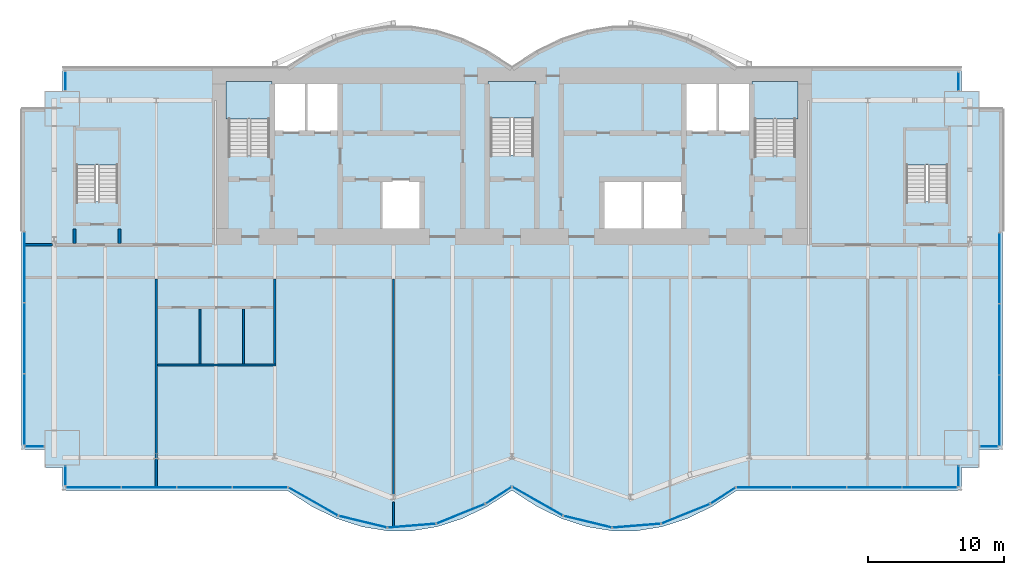
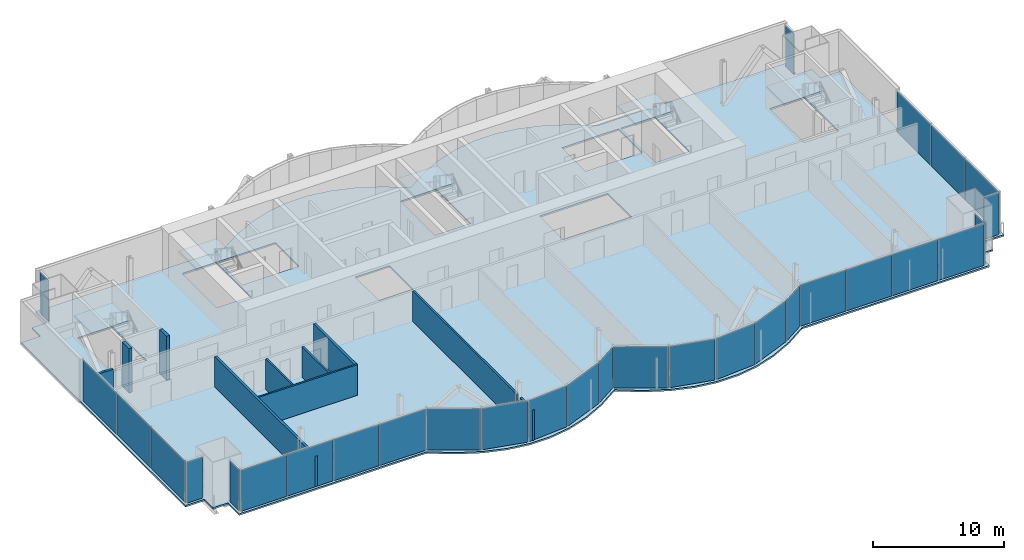
# One storey, part 13 of 20: 30 plates, 10 walls, 6 slabs, 17 elements without a shape of their own.
"""IFC4 building model written with IfcOpenShell, lengths in metres."""

from ifc_helpers import new_model, si_unit, direction, frame, frame_2d, origin, origin_2d, place, context, subcontext, project, spatial, polyline, rectangle, outline, extrude, material, layer, layer_set, type_object, element, aggregate, save


model = new_model("IFC4")

# Units and contexts
model_context = context("Model", 3, precision=1e-05, world=origin(), true_north=direction((0.0, 1.0)))
body_context = subcontext(model_context, "Body", "Model", "MODEL_VIEW")
ifc_project = project(units=[si_unit("LENGTHUNIT", "METRE"), si_unit("AREAUNIT", "SQUARE_METRE"), si_unit("VOLUMEUNIT", "CUBIC_METRE"), si_unit("PLANEANGLEUNIT", "RADIAN"), si_unit("MASSUNIT", "GRAM", prefix="KILO")], contexts=[model_context])

# Site, building, storey
site_placement = place(None, origin())
site = spatial("IfcSite", under=ifc_project, at=site_placement, CompositionType="ELEMENT")
building_placement = place(site_placement, origin())
building = spatial("IfcBuilding", under=site, at=building_placement, Name="Bicima Exchange Tower", CompositionType="ELEMENT")
storey_placement = place(building_placement, frame((0.0, 0.0, 227.800048828125)))
storey = spatial("IfcBuildingStorey", under=building, at=storey_placement, Name="L51", CompositionType="ELEMENT", Elevation=227.800048828125)

# Slab
ifc_material_1 = material(Name="Concrete C40/50", Category="concrete")
ifc_layer_1 = layer(ifc_material_1, 0.14990234375)
ifc_layer_set_1 = layer_set([ifc_layer_1], Name="Concrete C40/50")
slab_type_1 = type_object("IfcSlabType", Name="Composite floor slab 150", PredefinedType="FLOOR", material=ifc_layer_set_1)
slab_1_placement = place(storey_placement, frame((0.0, 0.0, -0.150146484375)))
element("IfcSlab", 1, at=slab_1_placement, inside=storey, type_object=slab_type_1, Name="Floor slab", PredefinedType="FLOOR", context=body_context, shape_type="SweptSolid", body=[
    extrude(outline(polyline([(-36.0, -28.02001953125), (-36.0, -3.0), (-34.300048828125, -3.0), (-34.300048828125, -1.699951171875), (-33.0, -1.699951171875), (-33.0, 0.0), (-16.5, 0.0), (-14.666748046875, 1.185302734375), (-12.833251953125, 2.07421875), (-11.0, 2.666748046875), (-9.166748046875, 2.962890625), (-7.333251953125, 2.962890625), (-5.5, 2.666748046875), (-3.666748046875, 2.07421875), (-1.833251953125, 1.185302734375), (0.0, 0.0), (1.833251953125, 1.185302734375), (3.666748046875, 2.07421875), (5.5, 2.666748046875), (7.333251953125, 2.962890625), (9.166748046875, 2.962890625), (11.0, 2.666748046875), (12.833251953125, 2.07421875), (14.666748046875, 1.185302734375), (16.5, 0.0), (33.0, 0.0), (33.0, -1.699951171875), (34.300048828125, -1.699951171875), (34.300048828125, -3.0), (36.0, -3.0), (36.0, -28.02001953125), (34.300048828125, -28.02001953125), (34.300048828125, -29.320068359375), (33.0, -29.320068359375), (33.0, -31.02001953125), (16.5, -31.02001953125), (14.666748046875, -32.205078125), (12.833251953125, -33.093994140625), (11.0, -33.686767578125), (9.166748046875, -33.98291015625), (7.333251953125, -33.98291015625), (5.5, -33.686767578125), (3.666748046875, -33.093994140625), (1.833251953125, -32.205078125), (0.0, -31.02001953125), (-1.833251953125, -32.205078125), (-3.666748046875, -33.093994140625), (-5.5, -33.686767578125), (-7.333251953125, -33.98291015625), (-9.166748046875, -33.98291015625), (-11.0, -33.686767578125), (-12.833251953125, -33.093994140625), (-14.666748046875, -32.205078125), (-16.5, -31.02001953125), (-33.0, -31.02001953125), (-33.0, -29.320068359375), (-34.300048828125, -29.320068359375), (-34.300048828125, -28.02001953125), (-36.0, -28.02001953125)]), holes=[polyline([(-6.60009765625, -11.800048828125), (-6.60009765625, -8.199951171875), (-9.60009765625, -8.199951171875), (-9.60009765625, -11.800048828125), (-6.60009765625, -11.800048828125)]), polyline([(-31.97509765625, -9.824951171875), (-28.925048828125, -9.824951171875), (-28.925048828125, -4.625), (-31.97509765625, -4.625), (-31.97509765625, -9.824951171875)]), polyline([(-20.800048828125, -6.449951171875), (-17.800048828125, -6.449951171875), (-17.800048828125, -1.199951171875), (-20.800048828125, -1.199951171875), (-20.800048828125, -6.449951171875)]), polyline([(1.574951171875, -6.39990234375), (1.574951171875, -1.199951171875), (-1.574951171875, -1.199951171875), (-1.574951171875, -6.39990234375), (1.574951171875, -6.39990234375)]), polyline([(-12.60009765625, -4.800048828125), (-12.60009765625, -1.199951171875), (-15.10009765625, -1.199951171875), (-17.60009765625, -1.199951171875), (-17.60009765625, -4.800048828125), (-15.10009765625, -4.800048828125), (-12.60009765625, -4.800048828125)]), polyline([(12.60009765625, -8.199951171875), (9.60009765625, -8.199951171875), (6.60009765625, -8.199951171875), (6.60009765625, -11.800048828125), (9.60009765625, -11.800048828125), (12.60009765625, -11.800048828125), (12.60009765625, -8.199951171875)]), polyline([(28.925048828125, -9.824951171875), (31.97509765625, -9.824951171875), (31.97509765625, -4.625), (28.925048828125, -4.625), (28.925048828125, -9.824951171875)]), polyline([(20.800048828125, -6.449951171875), (20.800048828125, -1.199951171875), (17.800048828125, -1.199951171875), (17.800048828125, -6.449951171875), (20.800048828125, -6.449951171875)]), polyline([(17.60009765625, -4.800048828125), (17.60009765625, -1.199951171875), (15.10009765625, -1.199951171875), (12.60009765625, -1.199951171875), (12.60009765625, -4.800048828125), (15.10009765625, -4.800048828125), (17.60009765625, -4.800048828125)])]), origin(), (0.0, 0.0, 1.0), 0.150146484375),
])

# Curtain wall, plate
ifc_material_2 = material(Name="Anodised bronze aluminium", Category="aluminium")
curtain_wall_type_1 = type_object("IfcCurtainWallType", Name="End face glass wall", PredefinedType="NOTDEFINED", material=ifc_material_2)
curtain_wall_1_placement = place(storey_placement, origin())
curtain_wall_1 = element("IfcCurtainWall", 2, at=curtain_wall_1_placement, inside=storey, type_object=curtain_wall_type_1, Name="End face glass wall L51 run 2", PredefinedType="NOTDEFINED")
ifc_material_3 = material(Name="Bronze tinted glass", Category="glass")
ifc_layer_2 = layer(ifc_material_3, 0.031982421875)
ifc_layer_set_2 = layer_set([ifc_layer_2], Name="Bronze tinted glass")
plate_type_1 = type_object("IfcPlateType", Name="End face glass wall glass panel 32", PredefinedType="CURTAIN_PANEL", material=ifc_layer_set_2)
plate_1_placement = place(storey_placement, frame((-35.77001953125, -14.63818359375, 0.0), z_axis=(0.0, 0.0, 1.0), x_axis=(0.0, -1.0, 0.0)))
plate_1 = element("IfcPlate", 3, at=plate_1_placement, type_object=plate_type_1, Name="End face glass wall panel 1.1", PredefinedType="CURTAIN_PANEL", context=body_context, shape_type="SweptSolid", body=[
    extrude(rectangle(XDim=5.15673828125, YDim=0.031982421875, at=origin_2d()), origin(), (0.0, 0.0, 1.0), 3.81005859375),
])

curtain_wall_2_placement = place(storey_placement, origin())
curtain_wall_2 = element("IfcCurtainWall", 4, at=curtain_wall_2_placement, inside=storey, type_object=curtain_wall_type_1, Name="End face glass wall L51 run 19", PredefinedType="NOTDEFINED")
plate_2_placement = place(storey_placement, frame((35.77001953125, -14.71826171875, 0.0), z_axis=(0.0, 0.0, 1.0), x_axis=(0.0, 1.0, 0.0)))
plate_2 = element("IfcPlate", 5, at=plate_2_placement, type_object=plate_type_1, Name="End face glass wall panel 3.1", PredefinedType="CURTAIN_PANEL", context=body_context, shape_type="SweptSolid", body=[
    extrude(rectangle(XDim=5.15673828125, YDim=0.031982421875, at=origin_2d()), origin(), (0.0, 0.0, 1.0), 3.81005859375),
])

# Plate
ifc_material_4 = material(Name="Bronze anodised aluminium", Category="aluminium")
ifc_layer_3 = layer(ifc_material_4, 0.031982421875)
ifc_layer_set_3 = layer_set([ifc_layer_3], Name="Bronze anodised aluminium")
plate_type_2 = type_object("IfcPlateType", Name="End face glass wall spandrel panel 32", PredefinedType="CURTAIN_PANEL", material=ifc_layer_set_3)
plate_3_placement = place(storey_placement, frame((-35.77001953125, -19.85498046875, 0.0), z_axis=(0.0, 0.0, 1.0), x_axis=(0.0, -1.0, 0.0)))
plate_3 = element("IfcPlate", 6, at=plate_3_placement, type_object=plate_type_2, Name="End face spandrel wall panel 2.1", PredefinedType="CURTAIN_PANEL", context=body_context, shape_type="SweptSolid", body=[
    extrude(rectangle(XDim=5.15673828125, YDim=0.031982421875, at=origin_2d()), origin(), (0.0, 0.0, 1.0), 3.81005859375),
])

plate_4_placement = place(storey_placement, frame((-35.77001953125, -25.07177734375, 0.0), z_axis=(0.0, 0.0, 1.0), x_axis=(0.0, -1.0, 0.0)))
plate_4 = element("IfcPlate", 7, at=plate_4_placement, type_object=plate_type_2, Name="End face spandrel wall panel 3.1", PredefinedType="CURTAIN_PANEL", context=body_context, shape_type="SweptSolid", body=[
    extrude(rectangle(XDim=5.15673828125, YDim=0.031982421875, at=origin_2d()), origin(), (0.0, 0.0, 1.0), 3.81005859375),
])

aggregate(curtain_wall_1, [plate_1, plate_3, plate_4])

plate_5_placement = place(storey_placement, frame((35.77001953125, -25.151611328125, 0.0), z_axis=(0.0, 0.0, 1.0), x_axis=(0.0, 1.0, 0.0)))
plate_5 = element("IfcPlate", 8, at=plate_5_placement, type_object=plate_type_2, Name="End face spandrel wall panel 1.1", PredefinedType="CURTAIN_PANEL", context=body_context, shape_type="SweptSolid", body=[
    extrude(rectangle(XDim=5.15673828125, YDim=0.031982421875, at=origin_2d()), origin(), (0.0, 0.0, 1.0), 3.81005859375),
])

plate_6_placement = place(storey_placement, frame((35.77001953125, -19.93505859375, 0.0), z_axis=(0.0, 0.0, 1.0), x_axis=(0.0, 1.0, 0.0)))
plate_6 = element("IfcPlate", 9, at=plate_6_placement, type_object=plate_type_2, Name="End face spandrel wall panel 2.1", PredefinedType="CURTAIN_PANEL", context=body_context, shape_type="SweptSolid", body=[
    extrude(rectangle(XDim=5.15673828125, YDim=0.031982421875, at=origin_2d()), origin(), (0.0, 0.0, 1.0), 3.81005859375),
])

aggregate(curtain_wall_2, [plate_5, plate_6, plate_2])

# Curtain wall, plate
curtain_wall_type_2 = type_object("IfcCurtainWallType", Name="Front glass wall", PredefinedType="NOTDEFINED", material=ifc_material_2)
curtain_wall_3_placement = place(storey_placement, origin())
curtain_wall_3 = element("IfcCurtainWall", 10, at=curtain_wall_3_placement, inside=storey, type_object=curtain_wall_type_2, Name="Front glass wall L51 run 1", PredefinedType="NOTDEFINED")
ifc_layer_4 = layer(ifc_material_3, 0.031982421875)
ifc_layer_set_4 = layer_set([ifc_layer_4], Name="Bronze tinted glass")
plate_type_3 = type_object("IfcPlateType", Name="Front glass wall glass panel 32", PredefinedType="CURTAIN_PANEL", material=ifc_layer_set_4)
plate_7_placement = place(storey_placement, frame((-32.77001953125, -0.965087890625, 0.0), z_axis=(0.0, 0.0, 1.0), x_axis=(0.0, -1.0, 0.0)))
plate_7 = element("IfcPlate", 11, at=plate_7_placement, type_object=plate_type_3, Name="Front glass wall panel 1.1", PredefinedType="CURTAIN_PANEL", context=body_context, shape_type="SweptSolid", body=[
    extrude(rectangle(XDim=1.35009765625, YDim=0.031982421875, at=origin_2d()), origin(), (0.0, 0.0, 1.0), 3.81005859375),
])
aggregate(curtain_wall_3, [plate_7])

curtain_wall_4_placement = place(storey_placement, origin())
curtain_wall_4 = element("IfcCurtainWall", 12, at=curtain_wall_4_placement, inside=storey, type_object=curtain_wall_type_2, Name="Front glass wall L51 run 3", PredefinedType="NOTDEFINED")
plate_8_placement = place(storey_placement, frame((-35.034912109375, -27.7900390625, 0.0), z_axis=(0.0, 0.0, 1.0), x_axis=(1.0, 0.0, 0.0)))
plate_8 = element("IfcPlate", 13, at=plate_8_placement, type_object=plate_type_3, Name="Front glass wall panel 1.1", PredefinedType="CURTAIN_PANEL", context=body_context, shape_type="SweptSolid", body=[
    extrude(rectangle(XDim=1.35009765625, YDim=0.031982421875, at=origin_2d()), origin(), (0.0, 0.0, 1.0), 3.81005859375),
])
aggregate(curtain_wall_4, [plate_8])

curtain_wall_5_placement = place(storey_placement, origin())
curtain_wall_5 = element("IfcCurtainWall", 14, at=curtain_wall_5_placement, inside=storey, type_object=curtain_wall_type_2, Name="Front glass wall L51 run 4", PredefinedType="NOTDEFINED")
plate_9_placement = place(storey_placement, frame((-32.77001953125, -29.9541015625, 0.0), z_axis=(0.0, 0.0, 1.0), x_axis=(0.0, -1.0, 0.0)))
plate_9 = element("IfcPlate", 15, at=plate_9_placement, type_object=plate_type_3, Name="Front glass wall panel 1.1", PredefinedType="CURTAIN_PANEL", context=body_context, shape_type="SweptSolid", body=[
    extrude(rectangle(XDim=1.39208984375, YDim=0.031982421875, at=origin_2d()), origin(), (0.0, 0.0, 1.0), 3.81005859375),
])
aggregate(curtain_wall_5, [plate_9])

# Curtain wall, plates
curtain_wall_6_placement = place(storey_placement, origin())
curtain_wall_6 = element("IfcCurtainWall", 16, at=curtain_wall_6_placement, inside=storey, type_object=curtain_wall_type_2, Name="Front glass wall L51 run 5", PredefinedType="NOTDEFINED")
plate_10_placement = place(storey_placement, frame((-30.705322265625, -30.7900390625, 0.0), z_axis=(0.0, 0.0, 1.0), x_axis=(1.0, 0.0, 0.0)))
plate_10 = element("IfcPlate", 17, at=plate_10_placement, type_object=plate_type_3, Name="Front glass wall panel 1.1", PredefinedType="CURTAIN_PANEL", context=body_context, shape_type="SweptSolid", body=[
    extrude(rectangle(XDim=4.009521484375, YDim=0.031982421875, at=origin_2d()), origin(), (0.0, 0.0, 1.0), 3.81005859375),
])
plate_11_placement = place(storey_placement, frame((-22.56640625, -30.7900390625, 0.0), z_axis=(0.0, 0.0, 1.0), x_axis=(1.0, 0.0, 0.0)))
plate_11 = element("IfcPlate", 18, at=plate_11_placement, type_object=plate_type_3, Name="Front glass wall panel 3.1", PredefinedType="CURTAIN_PANEL", context=body_context, shape_type="SweptSolid", body=[
    extrude(rectangle(XDim=4.009521484375, YDim=0.031982421875, at=origin_2d()), origin(), (0.0, 0.0, 1.0), 3.81005859375),
])
plate_12_placement = place(storey_placement, frame((-18.496826171875, -30.7900390625, 0.0), z_axis=(0.0, 0.0, 1.0), x_axis=(1.0, 0.0, 0.0)))
plate_12 = element("IfcPlate", 19, at=plate_12_placement, type_object=plate_type_3, Name="Front glass wall panel 4.1", PredefinedType="CURTAIN_PANEL", context=body_context, shape_type="SweptSolid", body=[
    extrude(rectangle(XDim=4.009521484375, YDim=0.031982421875, at=origin_2d()), origin(), (0.0, 0.0, 1.0), 3.81005859375),
])

curtain_wall_7_placement = place(storey_placement, origin())
curtain_wall_7 = element("IfcCurtainWall", 20, at=curtain_wall_7_placement, inside=storey, type_object=curtain_wall_type_2, Name="Front glass wall L51 run 6", PredefinedType="NOTDEFINED")
plate_13_placement = place(storey_placement, frame((-14.589599609375, -31.835205078125, 0.0), z_axis=(0.0, 0.0, 1.0), x_axis=(0.869805110681, -0.493395449343, 0.0)))
plate_13 = element("IfcPlate", 21, at=plate_13_placement, type_object=plate_type_3, Name="Front glass wall panel 1.1", PredefinedType="CURTAIN_PANEL", context=body_context, shape_type="SweptSolid", body=[
    extrude(rectangle(XDim=4.1162109375, YDim=0.031982421875, at=origin_2d()), origin(), (0.0, 0.0, 1.0), 3.81005859375),
])
plate_14_placement = place(storey_placement, frame((-10.94775390625, -33.316650390625, 0.0), z_axis=(0.0, 0.0, 1.0), x_axis=(0.971830343553, -0.235681529503, 0.0)))
plate_14 = element("IfcPlate", 22, at=plate_14_placement, type_object=plate_type_3, Name="Front glass wall panel 1.1", PredefinedType="CURTAIN_PANEL", context=body_context, shape_type="SweptSolid", body=[
    extrude(rectangle(XDim=3.583251953125, YDim=0.031982421875, at=origin_2d()), origin(), (0.0, 0.0, 1.0), 3.81005859375),
])
plate_15_placement = place(storey_placement, frame((-3.750244140625, -32.7333984375, 0.0), z_axis=(0.0, 0.0, 1.0), x_axis=(0.92714396679, 0.374705304, 0.0)))
plate_15 = element("IfcPlate", 23, at=plate_15_placement, type_object=plate_type_3, Name="Front glass wall panel 1.1", PredefinedType="CURTAIN_PANEL", context=body_context, shape_type="SweptSolid", body=[
    extrude(rectangle(XDim=3.771240234375, YDim=0.031982421875, at=origin_2d()), origin(), (0.0, 0.0, 1.0), 3.81005859375),
])
plate_16_placement = place(storey_placement, frame((-0.97314453125, -31.375244140625, 0.0), z_axis=(0.0, 0.0, 1.0), x_axis=(0.839798994301, 0.542897457326, 0.0)))
plate_16 = element("IfcPlate", 24, at=plate_16_placement, type_object=plate_type_3, Name="Front glass wall panel 1.1", PredefinedType="CURTAIN_PANEL", context=body_context, shape_type="SweptSolid", body=[
    extrude(rectangle(XDim=2.197509765625, YDim=0.031982421875, at=origin_2d()), origin(), (0.0, 0.0, 1.0), 3.81005859375),
])

curtain_wall_8_placement = place(storey_placement, origin())
curtain_wall_8 = element("IfcCurtainWall", 25, at=curtain_wall_8_placement, inside=storey, type_object=curtain_wall_type_2, Name="Front glass wall L51 run 11", PredefinedType="NOTDEFINED")
plate_17_placement = place(storey_placement, frame((1.876220703125, -31.813232421875, 0.0), z_axis=(0.0, 0.0, 1.0), x_axis=(0.869274147378, -0.494330311331, 0.0)))
plate_17 = element("IfcPlate", 26, at=plate_17_placement, type_object=plate_type_3, Name="Front glass wall panel 1.1", PredefinedType="CURTAIN_PANEL", context=body_context, shape_type="SweptSolid", body=[
    extrude(rectangle(XDim=4.197021484375, YDim=0.031982421875, at=origin_2d()), origin(), (0.0, 0.0, 1.0), 3.81005859375),
])
plate_18_placement = place(storey_placement, frame((12.749755859375, -32.7333984375, 0.0), z_axis=(0.0, 0.0, 1.0), x_axis=(0.92714396679, 0.374705304, 0.0)))
plate_18 = element("IfcPlate", 27, at=plate_18_placement, type_object=plate_type_3, Name="Front glass wall panel 1.1", PredefinedType="CURTAIN_PANEL", context=body_context, shape_type="SweptSolid", body=[
    extrude(rectangle(XDim=3.771240234375, YDim=0.031982421875, at=origin_2d()), origin(), (0.0, 0.0, 1.0), 3.81005859375),
])
plate_19_placement = place(storey_placement, frame((15.492919921875, -31.397216796875, 0.0), z_axis=(0.0, 0.0, 1.0), x_axis=(0.839791413941, 0.542909183079, 0.0)))
plate_19 = element("IfcPlate", 28, at=plate_19_placement, type_object=plate_type_3, Name="Front glass wall panel 1.1", PredefinedType="CURTAIN_PANEL", context=body_context, shape_type="SweptSolid", body=[
    extrude(rectangle(XDim=2.11669921875, YDim=0.031982421875, at=origin_2d()), origin(), (0.0, 0.0, 1.0), 3.81005859375),
])

curtain_wall_9_placement = place(storey_placement, origin())
curtain_wall_9 = element("IfcCurtainWall", 29, at=curtain_wall_9_placement, inside=storey, type_object=curtain_wall_type_2, Name="Front glass wall L51 run 16", PredefinedType="NOTDEFINED")
plate_20_placement = place(storey_placement, frame((18.48681640625, -30.7900390625, 0.0), z_axis=(0.0, 0.0, 1.0), x_axis=(1.0, 0.0, 0.0)))
plate_20 = element("IfcPlate", 30, at=plate_20_placement, type_object=plate_type_3, Name="Front glass wall panel 1.1", PredefinedType="CURTAIN_PANEL", context=body_context, shape_type="SweptSolid", body=[
    extrude(rectangle(XDim=3.989501953125, YDim=0.031982421875, at=origin_2d()), origin(), (0.0, 0.0, 1.0), 3.81005859375),
])
plate_21_placement = place(storey_placement, frame((22.536376953125, -30.7900390625, 0.0), z_axis=(0.0, 0.0, 1.0), x_axis=(1.0, 0.0, 0.0)))
plate_21 = element("IfcPlate", 31, at=plate_21_placement, type_object=plate_type_3, Name="Front glass wall panel 2.1", PredefinedType="CURTAIN_PANEL", context=body_context, shape_type="SweptSolid", body=[
    extrude(rectangle(XDim=3.989501953125, YDim=0.031982421875, at=origin_2d()), origin(), (0.0, 0.0, 1.0), 3.81005859375),
])
plate_22_placement = place(storey_placement, frame((30.63525390625, -30.7900390625, 0.0), z_axis=(0.0, 0.0, 1.0), x_axis=(1.0, 0.0, 0.0)))
plate_22 = element("IfcPlate", 32, at=plate_22_placement, type_object=plate_type_3, Name="Front glass wall panel 4.1", PredefinedType="CURTAIN_PANEL", context=body_context, shape_type="SweptSolid", body=[
    extrude(rectangle(XDim=3.989501953125, YDim=0.031982421875, at=origin_2d()), origin(), (0.0, 0.0, 1.0), 3.81005859375),
])

# Curtain wall, plate
curtain_wall_10_placement = place(storey_placement, origin())
curtain_wall_10 = element("IfcCurtainWall", 33, at=curtain_wall_10_placement, inside=storey, type_object=curtain_wall_type_2, Name="Front glass wall L51 run 17", PredefinedType="NOTDEFINED")
plate_23_placement = place(storey_placement, frame((32.77001953125, -29.993896484375, 0.0), z_axis=(0.0, 0.0, 1.0), x_axis=(0.0, 1.0, 0.0)))
plate_23 = element("IfcPlate", 34, at=plate_23_placement, type_object=plate_type_3, Name="Front glass wall panel 1.1", PredefinedType="CURTAIN_PANEL", context=body_context, shape_type="SweptSolid", body=[
    extrude(rectangle(XDim=1.471923828125, YDim=0.031982421875, at=origin_2d()), origin(), (0.0, 0.0, 1.0), 3.81005859375),
])
aggregate(curtain_wall_10, [plate_23])

curtain_wall_11_placement = place(storey_placement, origin())
curtain_wall_11 = element("IfcCurtainWall", 35, at=curtain_wall_11_placement, inside=storey, type_object=curtain_wall_type_2, Name="Front glass wall L51 run 18", PredefinedType="NOTDEFINED")
plate_24_placement = place(storey_placement, frame((34.9951171875, -27.7900390625, 0.0), z_axis=(0.0, 0.0, 1.0), x_axis=(1.0, 0.0, 0.0)))
plate_24 = element("IfcPlate", 36, at=plate_24_placement, type_object=plate_type_3, Name="Front glass wall panel 1.1", PredefinedType="CURTAIN_PANEL", context=body_context, shape_type="SweptSolid", body=[
    extrude(rectangle(XDim=1.27001953125, YDim=0.031982421875, at=origin_2d()), origin(), (0.0, 0.0, 1.0), 3.81005859375),
])
aggregate(curtain_wall_11, [plate_24])

curtain_wall_12_placement = place(storey_placement, origin())
curtain_wall_12 = element("IfcCurtainWall", 37, at=curtain_wall_12_placement, inside=storey, type_object=curtain_wall_type_2, Name="Front glass wall L51 run 20", PredefinedType="NOTDEFINED")
plate_25_placement = place(storey_placement, frame((32.77001953125, -1.0048828125, 0.0), z_axis=(0.0, 0.0, 1.0), x_axis=(0.0, 1.0, 0.0)))
plate_25 = element("IfcPlate", 38, at=plate_25_placement, type_object=plate_type_3, Name="Front glass wall panel 1.1", PredefinedType="CURTAIN_PANEL", context=body_context, shape_type="SweptSolid", body=[
    extrude(rectangle(XDim=1.27001953125, YDim=0.031982421875, at=origin_2d()), origin(), (0.0, 0.0, 1.0), 3.81005859375),
])
aggregate(curtain_wall_12, [plate_25])

# Plate
ifc_layer_5 = layer(ifc_material_4, 0.031982421875)
ifc_layer_set_5 = layer_set([ifc_layer_5], Name="Bronze anodised aluminium")
plate_type_4 = type_object("IfcPlateType", Name="Front glass wall spandrel panel 32", PredefinedType="CURTAIN_PANEL", material=ifc_layer_set_5)
plate_26_placement = place(storey_placement, frame((-26.6357421875, -30.7900390625, 0.0), z_axis=(0.0, 0.0, 1.0), x_axis=(1.0, 0.0, 0.0)))
plate_26 = element("IfcPlate", 39, at=plate_26_placement, type_object=plate_type_4, Name="Front spandrel wall panel 2.1", PredefinedType="CURTAIN_PANEL", context=body_context, shape_type="SweptSolid", body=[
    extrude(rectangle(XDim=4.009521484375, YDim=0.031982421875, at=origin_2d()), origin(), (0.0, 0.0, 1.0), 3.81005859375),
])

aggregate(curtain_wall_6, [plate_10, plate_26, plate_11, plate_12])

plate_27_placement = place(storey_placement, frame((-7.35107421875, -33.607666015625, 0.0), z_axis=(0.0, 0.0, 1.0), x_axis=(0.99674744821, 0.080588612633, 0.0)))
plate_27 = element("IfcPlate", 40, at=plate_27_placement, type_object=plate_type_4, Name="Front spandrel wall panel 1.1", PredefinedType="CURTAIN_PANEL", context=body_context, shape_type="SweptSolid", body=[
    extrude(rectangle(XDim=3.486083984375, YDim=0.031982421875, at=origin_2d()), origin(), (0.0, 0.0, 1.0), 3.81005859375),
])

aggregate(curtain_wall_7, [plate_13, plate_14, plate_27, plate_15, plate_16])

plate_28_placement = place(storey_placement, frame((5.55224609375, -33.316650390625, 0.0), z_axis=(0.0, 0.0, 1.0), x_axis=(0.971830343553, -0.235681529503, 0.0)))
plate_28 = element("IfcPlate", 41, at=plate_28_placement, type_object=plate_type_4, Name="Front spandrel wall panel 1.1", PredefinedType="CURTAIN_PANEL", context=body_context, shape_type="SweptSolid", body=[
    extrude(rectangle(XDim=3.583251953125, YDim=0.031982421875, at=origin_2d()), origin(), (0.0, 0.0, 1.0), 3.81005859375),
])

plate_29_placement = place(storey_placement, frame((9.14892578125, -33.607666015625, 0.0), z_axis=(0.0, 0.0, 1.0), x_axis=(0.99674744821, 0.080588612633, 0.0)))
plate_29 = element("IfcPlate", 42, at=plate_29_placement, type_object=plate_type_4, Name="Front spandrel wall panel 1.1", PredefinedType="CURTAIN_PANEL", context=body_context, shape_type="SweptSolid", body=[
    extrude(rectangle(XDim=3.486083984375, YDim=0.031982421875, at=origin_2d()), origin(), (0.0, 0.0, 1.0), 3.81005859375),
])

aggregate(curtain_wall_8, [plate_17, plate_28, plate_29, plate_18, plate_19])

plate_30_placement = place(storey_placement, frame((26.585693359375, -30.7900390625, 0.0), z_axis=(0.0, 0.0, 1.0), x_axis=(1.0, 0.0, 0.0)))
plate_30 = element("IfcPlate", 43, at=plate_30_placement, type_object=plate_type_4, Name="Front spandrel wall panel 3.1", PredefinedType="CURTAIN_PANEL", context=body_context, shape_type="SweptSolid", body=[
    extrude(rectangle(XDim=3.989501953125, YDim=0.031982421875, at=origin_2d()), origin(), (0.0, 0.0, 1.0), 3.81005859375),
])

aggregate(curtain_wall_9, [plate_20, plate_21, plate_30, plate_22])

# Stair, slab
ifc_material_5 = material(Name="Concrete C50/60", Category="concrete")
stair_type_1 = type_object("IfcStairType", Name="Exit stair", PredefinedType="HALF_TURN_STAIR", material=ifc_material_5)
stair_1_placement = place(storey_placement, origin())
stair_1 = element("IfcStair", 44, at=stair_1_placement, inside=storey, type_object=stair_type_1, Name="L51 West exit stair", PredefinedType="HALF_TURN_STAIR")
ifc_layer_6 = layer(ifc_material_5, 0.199951171875)
ifc_layer_set_6 = layer_set([ifc_layer_6], Name="Concrete C50/60")
slab_type_2 = type_object("IfcSlabType", Name="Stair landing slab", PredefinedType="LANDING", material=ifc_layer_set_6)
slab_2_placement = place(storey_placement, frame((0.0, 0.0, 1.849853515625)))
slab_2 = element("IfcSlab", 45, at=slab_2_placement, type_object=slab_type_2, Name="ST-W landing 1", PredefinedType="LANDING", context=body_context, shape_type="SweptSolid", body=[
    extrude(outline(polyline([(-17.60009765625, -3.75), (-17.60009765625, -1.0), (-21.0, -1.0), (-21.0, -3.75), (-17.60009765625, -3.75)])), origin(), (0.0, 0.0, 1.0), 0.2001953125),
])
aggregate(stair_1, [slab_2])

stair_type_2 = type_object("IfcStairType", Name="Exit stair 1500", PredefinedType="HALF_TURN_STAIR", material=ifc_material_5)
stair_2_placement = place(storey_placement, origin())
stair_2 = element("IfcStair", 46, at=stair_2_placement, inside=storey, type_object=stair_type_2, Name="L51 Central exit stair", PredefinedType="HALF_TURN_STAIR")
slab_3_placement = place(storey_placement, frame((0.0, 0.0, 1.849853515625)))
slab_3 = element("IfcSlab", 47, at=slab_3_placement, type_object=slab_type_2, Name="ST-C landing 1", PredefinedType="LANDING", context=body_context, shape_type="SweptSolid", body=[
    extrude(outline(polyline([(1.77490234375, -3.699951171875), (1.77490234375, -1.0), (-1.77490234375, -1.0), (-1.77490234375, -3.699951171875), (1.77490234375, -3.699951171875)])), origin(), (0.0, 0.0, 1.0), 0.2001953125),
])
aggregate(stair_2, [slab_3])

stair_3_placement = place(storey_placement, origin())
stair_3 = element("IfcStair", 48, at=stair_3_placement, inside=storey, type_object=stair_type_1, Name="L51 East exit stair", PredefinedType="HALF_TURN_STAIR")
slab_4_placement = place(storey_placement, frame((0.0, 0.0, 1.849853515625)))
slab_4 = element("IfcSlab", 49, at=slab_4_placement, type_object=slab_type_2, Name="ST-E landing 1", PredefinedType="LANDING", context=body_context, shape_type="SweptSolid", body=[
    extrude(outline(polyline([(21.0, -3.75), (21.0, -1.0), (17.60009765625, -1.0), (17.60009765625, -3.75), (21.0, -3.75)])), origin(), (0.0, 0.0, 1.0), 0.2001953125),
])
aggregate(stair_3, [slab_4])

stair_4_placement = place(storey_placement, origin())
stair_4 = element("IfcStair", 50, at=stair_4_placement, inside=storey, type_object=stair_type_1, Name="L51 West end exit stair", PredefinedType="HALF_TURN_STAIR")
slab_5_placement = place(storey_placement, frame((0.0, 0.0, 1.849853515625)))
slab_5 = element("IfcSlab", 51, at=slab_5_placement, type_object=slab_type_2, Name="ST-WW landing 1", PredefinedType="LANDING", context=body_context, shape_type="SweptSolid", body=[
    extrude(outline(polyline([(-28.72509765625, -7.125), (-28.72509765625, -4.425048828125), (-32.175048828125, -4.425048828125), (-32.175048828125, -7.125), (-28.72509765625, -7.125)])), origin(), (0.0, 0.0, 1.0), 0.2001953125),
])
aggregate(stair_4, [slab_5])

stair_5_placement = place(storey_placement, origin())
stair_5 = element("IfcStair", 52, at=stair_5_placement, inside=storey, type_object=stair_type_1, Name="L51 East end exit stair", PredefinedType="HALF_TURN_STAIR")
slab_6_placement = place(storey_placement, frame((0.0, 0.0, 1.849853515625)))
slab_6 = element("IfcSlab", 53, at=slab_6_placement, type_object=slab_type_2, Name="ST-EE landing 1", PredefinedType="LANDING", context=body_context, shape_type="SweptSolid", body=[
    extrude(outline(polyline([(32.175048828125, -7.125), (32.175048828125, -4.425048828125), (28.72509765625, -4.425048828125), (28.72509765625, -7.125), (32.175048828125, -7.125)])), origin(), (0.0, 0.0, 1.0), 0.2001953125),
])
aggregate(stair_5, [slab_6])

# Walls
ifc_material_6 = material(Name="Gypsum board partition")
ifc_layer_7 = layer(ifc_material_6, 0.199951171875)
ifc_layer_set_7 = layer_set([ifc_layer_7], Name="Gypsum board partition")
wall_type_1 = type_object("IfcWallType", Name="Fire-rated gypsum partition 200 EI60", PredefinedType="PARTITIONING", material=ifc_layer_set_7)
wall_1_placement = place(storey_placement, frame((-35.679931640625, -13.0, 0.0), z_axis=(0.0, 0.0, 1.0), x_axis=(1.0, 0.0, 0.0)))
element("IfcWall", 54, at=wall_1_placement, inside=storey, type_object=wall_type_1, Name="partition wall 4", PredefinedType="PARTITIONING", context=body_context, shape_type="SweptSolid", body=[
    extrude(rectangle(XDim=1.9599609375, YDim=0.199951171875, at=frame_2d((0.97998046875, 0.0))), origin(), (0.0, 0.0, 1.0), 2.84033203125),
])
wall_2_placement = place(storey_placement, frame((-26.10009765625, -30.81005859375, 0.0), z_axis=(0.0, 0.0, 1.0), x_axis=(0.0, 1.0, 0.0)))
element("IfcWall", 55, at=wall_2_placement, inside=storey, type_object=wall_type_1, Name="partition wall 14", PredefinedType="PARTITIONING", context=body_context, shape_type="SweptSolid", body=[
    extrude(rectangle(XDim=15.31005859375, YDim=0.199951171875, at=frame_2d((7.655029296875, 0.0))), origin(), (0.0, 0.0, 1.0), 2.84033203125),
])
wall_3_placement = place(storey_placement, frame((-17.39990234375, -21.72509765625, 0.0), z_axis=(0.0, 0.0, 1.0), x_axis=(0.0, 1.0, 0.0)))
element("IfcWall", 56, at=wall_3_placement, inside=storey, type_object=wall_type_1, Name="partition wall 17", PredefinedType="PARTITIONING", context=body_context, shape_type="SweptSolid", body=[
    extrude(rectangle(XDim=6.22509765625, YDim=0.199951171875, at=frame_2d((3.112548828125, 0.0))), origin(), (0.0, 0.0, 1.0), 2.84033203125),
])
ifc_layer_8 = layer(ifc_material_6, 0.14990234375)
ifc_layer_set_8 = layer_set([ifc_layer_8], Name="Gypsum board partition")
wall_type_2 = type_object("IfcWallType", Name="Gypsum partition 150", PredefinedType="PARTITIONING", material=ifc_layer_set_8)
wall_4_placement = place(storey_placement, frame((-26.0, -21.800048828125, 0.0), z_axis=(0.0, 0.0, 1.0), x_axis=(1.0, 0.0, 0.0)))
element("IfcWall", 57, at=wall_4_placement, inside=storey, type_object=wall_type_2, Name="partition wall 1", PredefinedType="PARTITIONING", context=body_context, shape_type="SweptSolid", body=[
    extrude(rectangle(XDim=8.699951171875, YDim=0.14990234375, at=frame_2d((4.35009765625, 0.0))), origin(), (0.0, 0.0, 1.0), 2.84033203125),
])
for number, where, z_axis, x_axis, name in (
    (58, (-22.89990234375, -21.72509765625, 0.0), (0.0, 0.0, 1.0), (0.0, 1.0, 0.0), "partition wall 15"),
    (59, (-19.699951171875, -21.72509765625, 0.0), (0.0, 0.0, 1.0), (0.0, 1.0, 0.0), "partition wall 16"),
):
    element("IfcWall", number, at=place(storey_placement, frame(where, z_axis=z_axis, x_axis=x_axis)), inside=storey, type_object=wall_type_2, Name=name, PredefinedType="PARTITIONING", context=body_context, shape_type="SweptSolid", body=[
        extrude(rectangle(XDim=4.025146484375, YDim=0.14990234375, at=frame_2d((2.0126953125, 0.0))), origin(), (0.0, 0.0, 1.0), 2.84033203125),
    ])
wall_5_placement = place(storey_placement, frame((-8.699951171875, -33.77001953125, 0.0), z_axis=(0.0, 0.0, 1.0), x_axis=(0.0, 1.0, 0.0)))
element("IfcWall", 60, at=wall_5_placement, inside=storey, type_object=wall_type_2, Name="partition wall 18", PredefinedType="PARTITIONING", context=body_context, shape_type="SweptSolid", body=[
    extrude(rectangle(XDim=1.9150390625, YDim=0.14990234375, at=frame_2d((0.95751953125, 0.0))), origin(), (0.0, 0.0, 1.0), 2.84033203125),
])
wall_6_placement = place(storey_placement, frame((-8.699951171875, -31.3671875, 0.0), z_axis=(0.0, 0.0, 1.0), x_axis=(0.0, 1.0, 0.0)))
element("IfcWall", 61, at=wall_6_placement, inside=storey, type_object=wall_type_2, Name="partition wall 19", PredefinedType="PARTITIONING", context=body_context, shape_type="SweptSolid", body=[
    extrude(rectangle(XDim=15.8671875, YDim=0.14990234375, at=frame_2d((7.93359375, 0.0))), origin(), (0.0, 0.0, 1.0), 2.84033203125),
])
ifc_layer_9 = layer(ifc_material_5, 0.25)
ifc_layer_set_9 = layer_set([ifc_layer_9], Name="Concrete C50/60")
wall_type_3 = type_object("IfcWallType", Name="RC core wall 250 C50/60", PredefinedType="SHEAR", material=ifc_layer_set_9)
for number, where, z_axis, x_axis, name in (
    (62, (-32.10009765625, -12.89990234375, 0.0), (0.0, 0.0, 1.0), (0.0, 1.0, 0.0), "stair wall 12"),
    (63, (-28.800048828125, -12.89990234375, 0.0), (0.0, 0.0, 1.0), (0.0, 1.0, 0.0), "stair wall 13"),
):
    element("IfcWall", number, at=place(storey_placement, frame(where, z_axis=z_axis, x_axis=x_axis)), inside=storey, type_object=wall_type_3, Name=name, PredefinedType="SHEAR", context=body_context, shape_type="SweptSolid", body=[
        extrude(rectangle(XDim=1.0498046875, YDim=0.25, at=frame_2d((0.52490234375, 0.0))), origin(), (0.0, 0.0, 1.0), 4.099853515625),
    ])

save(model, "model.ifc")
